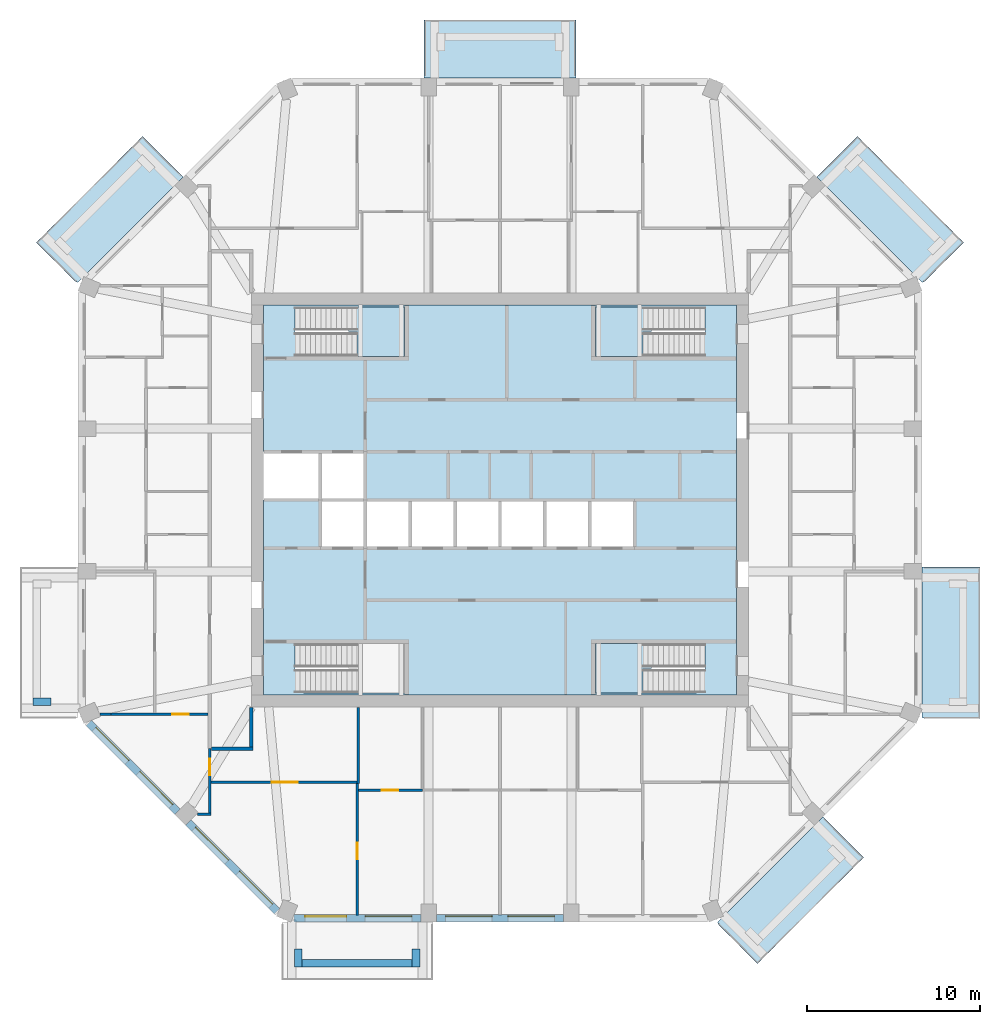
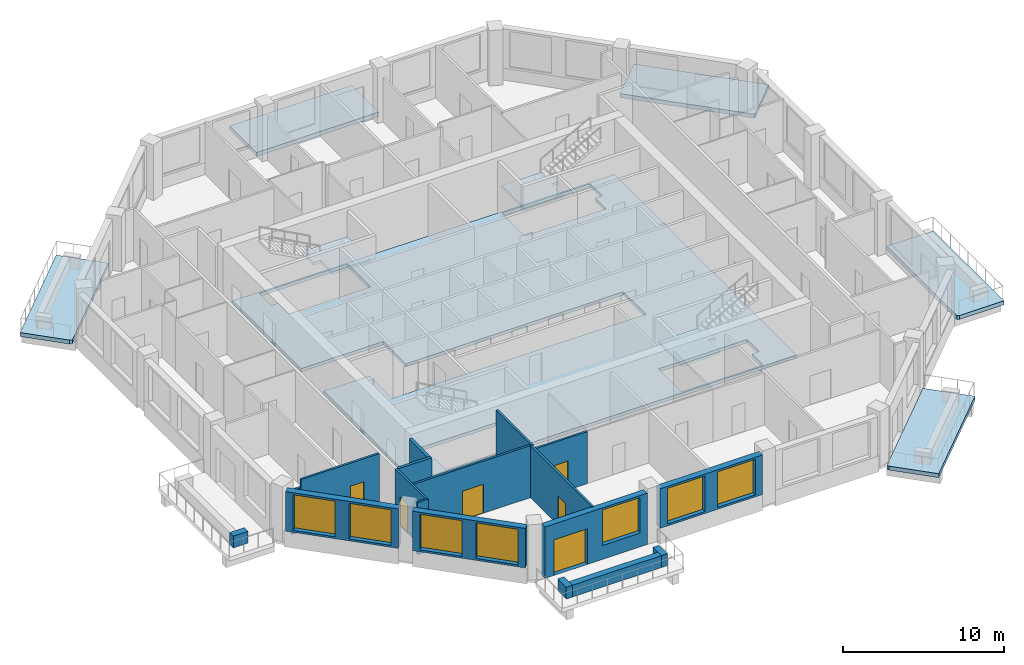
# One storey, part 2 of 10: 18 walls, 9 slabs, 7 windows, 6 doors, 13 openings, 3 elements without a shape of their own.
"""IFC4 building model written with IfcOpenShell, lengths in metres."""

from ifc_helpers import new_model, si_unit, direction, frame, frame_2d, origin, place, context, subcontext, project, spatial, polyline, rectangle, outline, extrude, material, layer, layer_set, type_object, element, fill, aggregate, save


model = new_model("IFC4")

# Units and contexts
model_context = context("Model", 3, precision=1e-05, world=origin(), true_north=direction((0.0, 1.0)))
body_context = subcontext(model_context, "Body", "Model", "MODEL_VIEW")
ifc_project = project(units=[si_unit("LENGTHUNIT", "METRE"), si_unit("AREAUNIT", "SQUARE_METRE"), si_unit("VOLUMEUNIT", "CUBIC_METRE"), si_unit("PLANEANGLEUNIT", "RADIAN"), si_unit("MASSUNIT", "GRAM", prefix="KILO")], contexts=[model_context])

# Site, building, storey
site_placement = place(None, origin())
site = spatial("IfcSite", under=ifc_project, at=site_placement, CompositionType="ELEMENT")
building_placement = place(site_placement, origin())
building = spatial("IfcBuilding", under=site, at=building_placement, Name="Msitu Wima Residences", CompositionType="ELEMENT")
storey_placement = place(building_placement, frame((0.0, 0.0, 191.699951171875)))
storey = spatial("IfcBuildingStorey", under=building, at=storey_placement, Name="L44", CompositionType="ELEMENT", Elevation=191.699951171875)

# Slabs
ifc_material_1 = material(Name="Concrete C40/50", Category="concrete")
ifc_layer_1 = layer(ifc_material_1, 0.300048828125)
ifc_layer_set_1 = layer_set([ifc_layer_1], Name="Concrete C40/50")
slab_type_1 = type_object("IfcSlabType", Name="Balcony slab BS300", PredefinedType="FLOOR", material=ifc_layer_set_1)
slab_1_placement = place(storey_placement, frame((0.0, 0.0, -0.300048828125)))
element("IfcSlab", 1, at=slab_1_placement, inside=storey, type_object=slab_type_1, Name="Balcony E0 L44", PredefinedType="FLOOR", context=body_context, shape_type="SweptSolid", body=[
    extrude(outline(polyline([(24.449951171875, -12.111083984375), (24.449951171875, -12.111083984375), (24.449951171875, -4.587158203125), (24.449951171875, -4.587158203125), (24.449951171875, -3.88720703125), (27.800048828125, -3.88720703125), (27.800048828125, -12.661865234375), (24.603515625, -12.661865234375), (24.449951171875, -12.59814453125), (24.449951171875, -12.111083984375), (24.449951171875, -12.111083984375)])), origin(), (0.0, 0.0, 1.0), 0.300048828125),
])
slab_2_placement = place(storey_placement, frame((0.0, 0.0, -0.300048828125)))
element("IfcSlab", 2, at=slab_2_placement, inside=storey, type_object=slab_type_1, Name="Balcony NE0 L44", PredefinedType="FLOOR", context=body_context, shape_type="SweptSolid", body=[
    extrude(outline(polyline([(24.10546875, 12.942626953125), (24.10546875, 12.942626953125), (18.347412109375, 18.700927734375), (20.716064453125, 21.069580078125), (26.86376953125, 14.922119140625), (24.603515625, 12.661865234375), (24.449951171875, 12.59814453125), (24.10546875, 12.942626953125), (24.10546875, 12.942626953125)])), origin(), (0.0, 0.0, 1.0), 0.300048828125),
])
slab_3_placement = place(storey_placement, frame((0.0, 0.0, -0.300048828125)))
element("IfcSlab", 3, at=slab_3_placement, inside=storey, type_object=slab_type_1, Name="Balcony N1 L44", PredefinedType="FLOOR", context=body_context, shape_type="SweptSolid", body=[
    extrude(outline(polyline([(3.687255859375, 24.449951171875), (-3.687255859375, 24.449951171875), (-4.38720703125, 24.449951171875), (-4.38720703125, 27.800048828125), (4.38720703125, 27.800048828125), (4.38720703125, 24.449951171875), (3.687255859375, 24.449951171875)])), origin(), (0.0, 0.0, 1.0), 0.300048828125),
])
slab_4_placement = place(storey_placement, frame((0.0, 0.0, -0.300048828125)))
element("IfcSlab", 4, at=slab_4_placement, inside=storey, type_object=slab_type_1, Name="Balcony NW1 L44", PredefinedType="FLOOR", context=body_context, shape_type="SweptSolid", body=[
    extrude(outline(polyline([(-24.10546875, 12.942626953125), (-24.10546875, 12.942626953125), (-24.449951171875, 12.59814453125), (-24.603515625, 12.661865234375), (-26.86376953125, 14.922119140625), (-20.716064453125, 21.069580078125), (-18.347412109375, 18.700927734375), (-24.10546875, 12.942626953125), (-24.10546875, 12.942626953125)])), origin(), (0.0, 0.0, 1.0), 0.300048828125),
])
slab_5_placement = place(storey_placement, frame((0.0, 0.0, -0.300048828125)))
element("IfcSlab", 5, at=slab_5_placement, inside=storey, type_object=slab_type_1, Name="Balcony SE0 L44", PredefinedType="FLOOR", context=body_context, shape_type="SweptSolid", body=[
    extrude(outline(polyline([(12.942626953125, -24.10546875), (12.942626953125, -24.10546875), (18.700927734375, -18.347412109375), (21.069580078125, -20.716064453125), (14.922119140625, -26.86376953125), (12.661865234375, -24.603515625), (12.59814453125, -24.449951171875), (12.942626953125, -24.10546875), (12.942626953125, -24.10546875)])), origin(), (0.0, 0.0, 1.0), 0.300048828125),
])
ifc_layer_2 = layer(ifc_material_1, 0.25)
ifc_layer_set_2 = layer_set([ifc_layer_2], Name="Concrete C40/50")
slab_type_2 = type_object("IfcSlabType", Name="Core floor CF250", PredefinedType="FLOOR", material=ifc_layer_set_2)
slab_6_placement = place(storey_placement, frame((0.0, 0.0, -0.25)))
element("IfcSlab", 6, at=slab_6_placement, inside=storey, type_object=slab_type_2, Name="Core floor", PredefinedType="FLOOR", context=body_context, shape_type="SweptSolid", body=[
    extrude(outline(polyline([(-13.699951171875, 11.300048828125), (-13.699951171875, 2.800048828125), (-10.39990234375, 2.800048828125), (-7.800048828125, 2.800048828125), (-7.800048828125, 0.0), (-5.199951171875, 0.0), (-2.60009765625, 0.0), (0.0, 0.0), (2.60009765625, 0.0), (5.199951171875, 0.0), (7.800048828125, 0.0), (7.800048828125, -2.800048828125), (5.199951171875, -2.800048828125), (2.60009765625, -2.800048828125), (0.0, -2.800048828125), (-2.60009765625, -2.800048828125), (-5.199951171875, -2.800048828125), (-7.800048828125, -2.800048828125), (-10.39990234375, -2.800048828125), (-10.39990234375, 0.0), (-13.699951171875, 0.0), (-13.699951171875, -11.300048828125), (13.699951171875, -11.300048828125), (13.699951171875, 11.300048828125), (-13.699951171875, 11.300048828125)]), holes=[polyline([(-11.375, -11.175048828125), (-11.375, -9.824951171875), (-11.87451171875, -9.824951171875), (-11.87451171875, -8.324951171875), (-5.52490234375, -8.324951171875), (-5.52490234375, -11.175048828125), (-11.375, -11.175048828125)]), polyline([(-11.375, 8.324951171875), (-11.375, 9.675048828125), (-11.87451171875, 9.675048828125), (-11.87451171875, 11.175048828125), (-5.52490234375, 11.175048828125), (-5.52490234375, 8.324951171875), (-11.375, 8.324951171875)]), polyline([(11.375, -9.824951171875), (11.375, -11.175048828125), (5.52490234375, -11.175048828125), (5.52490234375, -8.324951171875), (11.87451171875, -8.324951171875), (11.87451171875, -9.824951171875), (11.375, -9.824951171875)]), polyline([(11.375, 9.675048828125), (11.375, 8.324951171875), (5.52490234375, 8.324951171875), (5.52490234375, 11.175048828125), (11.87451171875, 11.175048828125), (11.87451171875, 9.675048828125), (11.375, 9.675048828125)])]), origin(), (0.0, 0.0, 1.0), 0.25),
])

# Stair, slab
stair_type = type_object("IfcStairType", Name="Exit stair ES1615-135", PredefinedType="HALF_TURN_STAIR", material=ifc_material_1)
stair_1_placement = place(storey_placement, origin())
stair_1 = element("IfcStair", 7, at=stair_1_placement, inside=storey, type_object=stair_type, Name="Exit stair 1", PredefinedType="HALF_TURN_STAIR")
ifc_layer_3 = layer(ifc_material_1, 0.199951171875)
ifc_layer_set_3 = layer_set([ifc_layer_3], Name="Concrete C40/50")
slab_type_3 = type_object("IfcSlabType", Name="Stair landing SL200", PredefinedType="LANDING", material=ifc_layer_set_3)
slab_7_placement = place(storey_placement, frame((0.0, 0.0, 1.900146484375)))
slab_7 = element("IfcSlab", 8, at=slab_7_placement, type_object=slab_type_3, Name="S1 landing 1", PredefinedType="LANDING", context=body_context, shape_type="SweptSolid", body=[
    extrude(outline(polyline([(-5.52490234375, 8.324951171875), (-8.275390625, 8.324951171875), (-8.275390625, 9.75), (-8.77490234375, 9.75), (-8.77490234375, 11.175048828125), (-5.52490234375, 11.175048828125), (-5.52490234375, 8.324951171875)])), origin(), (0.0, 0.0, 1.0), 0.199951171875),
])
aggregate(stair_1, [slab_7])

stair_2_placement = place(storey_placement, origin())
stair_2 = element("IfcStair", 9, at=stair_2_placement, inside=storey, type_object=stair_type, Name="Exit stair 3", PredefinedType="HALF_TURN_STAIR")
slab_8_placement = place(storey_placement, frame((0.0, 0.0, 1.900146484375)))
slab_8 = element("IfcSlab", 10, at=slab_8_placement, type_object=slab_type_3, Name="S3 landing 1", PredefinedType="LANDING", context=body_context, shape_type="SweptSolid", body=[
    extrude(outline(polyline([(5.52490234375, 8.324951171875), (8.275390625, 8.324951171875), (8.275390625, 9.75), (8.77490234375, 9.75), (8.77490234375, 11.175048828125), (5.52490234375, 11.175048828125), (5.52490234375, 8.324951171875)])), origin(), (0.0, 0.0, 1.0), 0.199951171875),
])
aggregate(stair_2, [slab_8])

stair_3_placement = place(storey_placement, origin())
stair_3 = element("IfcStair", 11, at=stair_3_placement, inside=storey, type_object=stair_type, Name="Exit stair 4", PredefinedType="HALF_TURN_STAIR")
slab_9_placement = place(storey_placement, frame((0.0, 0.0, 1.900146484375)))
slab_9 = element("IfcSlab", 12, at=slab_9_placement, type_object=slab_type_3, Name="S4 landing 1", PredefinedType="LANDING", context=body_context, shape_type="SweptSolid", body=[
    extrude(outline(polyline([(5.52490234375, -11.175048828125), (8.275390625, -11.175048828125), (8.275390625, -9.75), (8.77490234375, -9.75), (8.77490234375, -8.324951171875), (5.52490234375, -8.324951171875), (5.52490234375, -11.175048828125)])), origin(), (0.0, 0.0, 1.0), 0.199951171875),
])
aggregate(stair_3, [slab_9])

# Walls
ifc_material_2 = material(Name="Facing brick")
ifc_layer_4 = layer(ifc_material_2, 0.06494140625, Name="Facing brick")
ifc_layer_5 = layer(ifc_material_1, 0.156005859375, Name="Concrete C40/50")
ifc_material_3 = material(Name="Waterproofing membrane")
ifc_layer_6 = layer(ifc_material_3, 0.00390625, Name="Waterproofing membrane")
ifc_material_4 = material(Name="Planting soil and planting")
ifc_layer_7 = layer(ifc_material_4, 0.22509765625, Name="Planting soil and planting")
ifc_layer_set_4 = layer_set([ifc_layer_4, ifc_layer_5, ifc_layer_6, ifc_layer_7], Name="Concrete C40/50")
wall_type_1 = type_object("IfcWallType", Name="Balcony planter PLANTER PL450", PredefinedType="USERDEFINED", material=ifc_layer_set_4)
wall_1_placement = place(storey_placement, frame((-26.0, -11.686767578125, 0.0), z_axis=(0.0, 0.0, 1.0), x_axis=(-1.0, 0.0, 0.0)))
element("IfcWall", 13, at=wall_1_placement, inside=storey, type_object=wall_type_1, Name="Balcony planter W2 L44", ObjectType="PLANTER", PredefinedType="USERDEFINED", context=body_context, shape_type="SweptSolid", body=[
    extrude(rectangle(XDim=1.050048828125, YDim=0.449951171875, at=frame_2d((0.52490234375, 0.0))), origin(), (0.0, 0.0, 1.0), 0.900146484375),
])
wall_2_placement = place(storey_placement, frame((-11.461669921875, -26.824951171875, 0.0), z_axis=(0.0, 0.0, 1.0), x_axis=(1.0, 0.0, 0.0)))
element("IfcWall", 14, at=wall_2_placement, inside=storey, type_object=wall_type_1, Name="Balcony planter S0 L44", ObjectType="PLANTER", PredefinedType="USERDEFINED", context=body_context, shape_type="SweptSolid", body=[
    extrude(rectangle(XDim=6.37451171875, YDim=0.449951171875, at=frame_2d((3.187255859375, 0.0))), origin(), (0.0, 0.0, 1.0), 0.900146484375),
])
for number, where, z_axis, x_axis, name in (
    (15, (-11.686767578125, -26.0, 0.0), (0.0, 0.0, 1.0), (0.0, -1.0, 0.0), "Balcony planter S0 L44"),
    (16, (-4.8623046875, -26.0, 0.0), (0.0, 0.0, 1.0), (0.0, -1.0, 0.0), "Balcony planter S0 L44"),
):
    element("IfcWall", number, at=place(storey_placement, frame(where, z_axis=z_axis, x_axis=x_axis)), inside=storey, type_object=wall_type_1, Name=name, ObjectType="PLANTER", PredefinedType="USERDEFINED", context=body_context, shape_type="SweptSolid", body=[
        extrude(rectangle(XDim=1.050048828125, YDim=0.449951171875, at=frame_2d((0.52490234375, 0.0))), origin(), (0.0, 0.0, 1.0), 0.900146484375),
    ])

# Wall, openings, windows
ifc_material_5 = material(Name="Brick (red buff mix)", Category="masonry")
ifc_layer_8 = layer(ifc_material_5, 0.449951171875)
ifc_layer_set_5 = layer_set([ifc_layer_8], Name="Brick (red buff mix)")
wall_type_2 = type_object("IfcWallType", Name="Brick infill wall BW450", PredefinedType="SOLIDWALL", material=ifc_layer_set_5)
wall_3_placement = place(storey_placement, frame((-23.814697265625, -12.915283203125, 0.900146484375), z_axis=(0.0, 0.0, 1.0), x_axis=(0.707106781187, -0.707106781187, 0.0)))
wall_3 = element("IfcWall", 17, at=wall_3_placement, inside=storey, type_object=wall_type_2, Name="Brick infill wall L44 SW0", PredefinedType="SOLIDWALL", context=body_context, shape_type="SweptSolid", body=[
    extrude(rectangle(XDim=7.257080078125, YDim=0.449951171875, at=frame_2d((3.62841796875, 0.0))), origin(), (0.0, 0.0, 1.0), 3.0),
])
opening_1_placement = place(wall_3_placement, frame((0.478515625, 0.0, 0.14990234375)))
opening_1 = element("IfcOpeningElement", 18, at=opening_1_placement, cuts=wall_3, Name="Opening W43-45.025", PredefinedType="OPENING", context=body_context, shape_type="SweptSolid", body=[
    extrude(rectangle(XDim=2.699951171875, YDim=2.699951171875, at=frame_2d((1.35009765625, 1.35009765625))), frame((0.0, 0.23486328125, 0.0), z_axis=(0.0, -1.0, 0.0), x_axis=(1.0, 0.0, 0.0)), (0.0, 0.0, 1.0), 0.469970703125),
])
opening_2_placement = place(wall_3_placement, frame((4.07861328125, 0.0, 0.14990234375)))
opening_2 = element("IfcOpeningElement", 19, at=opening_2_placement, cuts=wall_3, Name="Opening W43-45.026", PredefinedType="OPENING", context=body_context, shape_type="SweptSolid", body=[
    extrude(rectangle(XDim=2.699951171875, YDim=2.699951171875, at=frame_2d((1.35009765625, 1.35009765625))), frame((0.0, 0.23486328125, 0.0), z_axis=(0.0, -1.0, 0.0), x_axis=(1.0, 0.0, 0.0)), (0.0, 0.0, 1.0), 0.469970703125),
])
ifc_material_6 = material(Name="Anodised aluminium, bronze finish, clear low-emissivity double glazing", Category="aluminium")
window_type = type_object("IfcWindowType", Name="Window W2700x2700", PartitioningType="DOUBLE_PANEL_VERTICAL", PredefinedType="WINDOW", material=ifc_material_6)
window_1_placement = place(opening_1_placement, origin())
window_1 = element("IfcWindow", 20, at=window_1_placement, inside=storey, type_object=window_type, Name="Window L44 SW0.1", OverallHeight=2.699951171875, OverallWidth=2.699951171875, PartitioningType="SINGLE_PANEL", PredefinedType="WINDOW", context=body_context, shape_type="SweptSolid", body=[
    extrude(rectangle(XDim=2.699951171875, YDim=2.699951171875, at=frame_2d((1.35009765625, 1.35009765625))), frame((0.0, 0.135009765625, 0.0), z_axis=(0.0, -1.0, 0.0), x_axis=(1.0, 0.0, 0.0)), (0.0, 0.0, 1.0), 0.06005859375),
])
fill(opening_1, window_1)
window_2_placement = place(opening_2_placement, origin())
window_2 = element("IfcWindow", 21, at=window_2_placement, inside=storey, type_object=window_type, Name="Window L44 SW0.2", OverallHeight=2.699951171875, OverallWidth=2.699951171875, PartitioningType="SINGLE_PANEL", PredefinedType="WINDOW", context=body_context, shape_type="SweptSolid", body=[
    extrude(rectangle(XDim=2.699951171875, YDim=2.699951171875, at=frame_2d((1.35009765625, 1.35009765625))), frame((0.0, 0.135009765625, 0.0), z_axis=(0.0, -1.0, 0.0), x_axis=(1.0, 0.0, 0.0)), (0.0, 0.0, 1.0), 0.06005859375),
])
fill(opening_2, window_2)

wall_4_placement = place(storey_placement, frame((-18.046875, -18.68310546875, 0.900146484375), z_axis=(0.0, 0.0, 1.0), x_axis=(0.707106781187, -0.707106781187, 0.0)))
wall_4 = element("IfcWall", 22, at=wall_4_placement, inside=storey, type_object=wall_type_2, Name="Brick infill wall L44 SW1", PredefinedType="SOLIDWALL", context=body_context, shape_type="SweptSolid", body=[
    extrude(rectangle(XDim=7.257080078125, YDim=0.449951171875, at=frame_2d((3.62841796875, 0.0))), origin(), (0.0, 0.0, 1.0), 3.0),
])
opening_3_placement = place(wall_4_placement, frame((0.478515625, 0.0, 0.14990234375)))
opening_3 = element("IfcOpeningElement", 23, at=opening_3_placement, cuts=wall_4, Name="Opening W43-45.027", PredefinedType="OPENING", context=body_context, shape_type="SweptSolid", body=[
    extrude(rectangle(XDim=2.699951171875, YDim=2.699951171875, at=frame_2d((1.35009765625, 1.35009765625))), frame((0.0, 0.23486328125, 0.0), z_axis=(0.0, -1.0, 0.0), x_axis=(1.0, 0.0, 0.0)), (0.0, 0.0, 1.0), 0.469970703125),
])
opening_4_placement = place(wall_4_placement, frame((4.07861328125, 0.0, 0.14990234375)))
opening_4 = element("IfcOpeningElement", 24, at=opening_4_placement, cuts=wall_4, Name="Opening W43-45.028", PredefinedType="OPENING", context=body_context, shape_type="SweptSolid", body=[
    extrude(rectangle(XDim=2.699951171875, YDim=2.699951171875, at=frame_2d((1.35009765625, 1.35009765625))), frame((0.0, 0.23486328125, 0.0), z_axis=(0.0, -1.0, 0.0), x_axis=(1.0, 0.0, 0.0)), (0.0, 0.0, 1.0), 0.469970703125),
])
window_3_placement = place(opening_3_placement, origin())
window_3 = element("IfcWindow", 25, at=window_3_placement, inside=storey, type_object=window_type, Name="Window L44 SW1.1", OverallHeight=2.699951171875, OverallWidth=2.699951171875, PartitioningType="SINGLE_PANEL", PredefinedType="WINDOW", context=body_context, shape_type="SweptSolid", body=[
    extrude(rectangle(XDim=2.699951171875, YDim=2.699951171875, at=frame_2d((1.35009765625, 1.35009765625))), frame((0.0, 0.135009765625, 0.0), z_axis=(0.0, -1.0, 0.0), x_axis=(1.0, 0.0, 0.0)), (0.0, 0.0, 1.0), 0.06005859375),
])
fill(opening_3, window_3)
window_4_placement = place(opening_4_placement, origin())
window_4 = element("IfcWindow", 26, at=window_4_placement, inside=storey, type_object=window_type, Name="Window L44 SW1.2", OverallHeight=2.699951171875, OverallWidth=2.699951171875, PartitioningType="SINGLE_PANEL", PredefinedType="WINDOW", context=body_context, shape_type="SweptSolid", body=[
    extrude(rectangle(XDim=2.699951171875, YDim=2.699951171875, at=frame_2d((1.35009765625, 1.35009765625))), frame((0.0, 0.135009765625, 0.0), z_axis=(0.0, -1.0, 0.0), x_axis=(1.0, 0.0, 0.0)), (0.0, 0.0, 1.0), 0.06005859375),
])
fill(opening_4, window_4)

# Wall, openings, door, window
wall_5_placement = place(storey_placement, frame((-11.9248046875, -24.22509765625, 0.0), z_axis=(0.0, 0.0, 1.0), x_axis=(1.0, 0.0, 0.0)))
wall_5 = element("IfcWall", 27, at=wall_5_placement, inside=storey, type_object=wall_type_2, Name="Brick infill wall L44 S0", PredefinedType="SOLIDWALL", context=body_context, shape_type="SweptSolid", body=[
    extrude(rectangle(XDim=7.337646484375, YDim=0.449951171875, at=frame_2d((3.6689453125, 0.0))), origin(), (0.0, 0.0, 1.0), 3.900146484375),
])
opening_5_placement = place(wall_5_placement, frame((0.63427734375, 0.0, 0.0)))
opening_5 = element("IfcOpeningElement", 28, at=opening_5_placement, cuts=wall_5, Name="Opening D43-45.005", PredefinedType="OPENING", context=body_context, shape_type="SweptSolid", body=[
    extrude(rectangle(XDim=2.39990234375, YDim=2.699951171875, at=frame_2d((1.199951171875, 1.35009765625))), frame((0.0, 0.23486328125, 0.0), z_axis=(0.0, -1.0, 0.0), x_axis=(1.0, 0.0, 0.0)), (0.0, 0.0, 1.0), 0.469970703125),
])
opening_6_placement = place(wall_5_placement, frame((4.11865234375, 0.0, 1.050048828125)))
opening_6 = element("IfcOpeningElement", 29, at=opening_6_placement, cuts=wall_5, Name="Opening W43-45.017", PredefinedType="OPENING", context=body_context, shape_type="SweptSolid", body=[
    extrude(rectangle(XDim=2.699951171875, YDim=2.699951171875, at=frame_2d((1.35009765625, 1.35009765625))), frame((0.0, 0.23486328125, 0.0), z_axis=(0.0, -1.0, 0.0), x_axis=(1.0, 0.0, 0.0)), (0.0, 0.0, 1.0), 0.469970703125),
])
door_type_1 = type_object("IfcDoorType", Name="Balcony door D2400x2700", OperationType="SLIDING_TO_LEFT", PredefinedType="DOOR", material=ifc_material_6)
door_1_placement = place(opening_5_placement, origin())
door_1 = element("IfcDoor", 30, at=door_1_placement, inside=storey, type_object=door_type_1, Name="Balcony door L44 S0", OperationType="SINGLE_SWING_LEFT", OverallHeight=2.699951171875, OverallWidth=2.39990234375, PredefinedType="DOOR", context=body_context, shape_type="SweptSolid", body=[
    extrude(rectangle(XDim=2.39990234375, YDim=2.699951171875, at=frame_2d((1.199951171875, 1.35009765625))), frame((0.0, 0.1298828125, 0.0), z_axis=(0.0, -1.0, 0.0), x_axis=(1.0, 0.0, 0.0)), (0.0, 0.0, 1.0), 0.050048828125),
])
fill(opening_5, door_1)
window_5_placement = place(opening_6_placement, origin())
window_5 = element("IfcWindow", 31, at=window_5_placement, inside=storey, type_object=window_type, Name="Window L44 S0.2", OverallHeight=2.699951171875, OverallWidth=2.699951171875, PartitioningType="SINGLE_PANEL", PredefinedType="WINDOW", context=body_context, shape_type="SweptSolid", body=[
    extrude(rectangle(XDim=2.699951171875, YDim=2.699951171875, at=frame_2d((1.35009765625, 1.35009765625))), frame((0.0, 0.135009765625, 0.0), z_axis=(0.0, -1.0, 0.0), x_axis=(1.0, 0.0, 0.0)), (0.0, 0.0, 1.0), 0.06005859375),
])
fill(opening_6, window_5)

# Wall, openings, windows
wall_6_placement = place(storey_placement, frame((-3.687255859375, -24.22509765625, 0.900146484375), z_axis=(0.0, 0.0, 1.0), x_axis=(1.0, 0.0, 0.0)))
wall_6 = element("IfcWall", 32, at=wall_6_placement, inside=storey, type_object=wall_type_2, Name="Brick infill wall L44 S1", PredefinedType="SOLIDWALL", context=body_context, shape_type="SweptSolid", body=[
    extrude(rectangle(XDim=7.37451171875, YDim=0.449951171875, at=frame_2d((3.687255859375, 0.0))), origin(), (0.0, 0.0, 1.0), 3.0),
])
opening_7_placement = place(wall_6_placement, frame((0.537353515625, 0.0, 0.14990234375)))
opening_7 = element("IfcOpeningElement", 33, at=opening_7_placement, cuts=wall_6, Name="Opening W43-45.018", PredefinedType="OPENING", context=body_context, shape_type="SweptSolid", body=[
    extrude(rectangle(XDim=2.699951171875, YDim=2.699951171875, at=frame_2d((1.35009765625, 1.35009765625))), frame((0.0, 0.23486328125, 0.0), z_axis=(0.0, -1.0, 0.0), x_axis=(1.0, 0.0, 0.0)), (0.0, 0.0, 1.0), 0.469970703125),
])
opening_8_placement = place(wall_6_placement, frame((4.13720703125, 0.0, 0.14990234375)))
opening_8 = element("IfcOpeningElement", 34, at=opening_8_placement, cuts=wall_6, Name="Opening W43-45.019", PredefinedType="OPENING", context=body_context, shape_type="SweptSolid", body=[
    extrude(rectangle(XDim=2.699951171875, YDim=2.699951171875, at=frame_2d((1.35009765625, 1.35009765625))), frame((0.0, 0.23486328125, 0.0), z_axis=(0.0, -1.0, 0.0), x_axis=(1.0, 0.0, 0.0)), (0.0, 0.0, 1.0), 0.469970703125),
])
window_6_placement = place(opening_7_placement, origin())
window_6 = element("IfcWindow", 35, at=window_6_placement, inside=storey, type_object=window_type, Name="Window L44 S1.1", OverallHeight=2.699951171875, OverallWidth=2.699951171875, PartitioningType="SINGLE_PANEL", PredefinedType="WINDOW", context=body_context, shape_type="SweptSolid", body=[
    extrude(rectangle(XDim=2.699951171875, YDim=2.699951171875, at=frame_2d((1.35009765625, 1.35009765625))), frame((0.0, 0.135009765625, 0.0), z_axis=(0.0, -1.0, 0.0), x_axis=(1.0, 0.0, 0.0)), (0.0, 0.0, 1.0), 0.06005859375),
])
fill(opening_7, window_6)
window_7_placement = place(opening_8_placement, origin())
window_7 = element("IfcWindow", 36, at=window_7_placement, inside=storey, type_object=window_type, Name="Window L44 S1.2", OverallHeight=2.699951171875, OverallWidth=2.699951171875, PartitioningType="SINGLE_PANEL", PredefinedType="WINDOW", context=body_context, shape_type="SweptSolid", body=[
    extrude(rectangle(XDim=2.699951171875, YDim=2.699951171875, at=frame_2d((1.35009765625, 1.35009765625))), frame((0.0, 0.135009765625, 0.0), z_axis=(0.0, -1.0, 0.0), x_axis=(1.0, 0.0, 0.0)), (0.0, 0.0, 1.0), 0.06005859375),
])
fill(opening_8, window_7)

# Walls
ifc_material_7 = material(Name="Plaster")
ifc_layer_9 = layer(ifc_material_7, 0.011962890625, Name="Plaster")
ifc_material_8 = material(Name="Concrete blockwork", Category="masonry")
ifc_layer_10 = layer(ifc_material_8, 0.176025390625, Name="Concrete blockwork")
ifc_layer_11 = layer(ifc_material_7, 0.011962890625, Name="Plaster")
ifc_layer_set_6 = layer_set([ifc_layer_9, ifc_layer_10, ifc_layer_11], Name="Concrete blockwork")
wall_type_3 = type_object("IfcWallType", Name="Corridor wall FW200", PredefinedType="PARTITIONING", material=ifc_layer_set_6)
wall_7_placement = place(storey_placement, frame((-16.699951171875, -14.39990234375, 0.0), z_axis=(0.0, 0.0, 1.0), x_axis=(1.0, 0.0, 0.0)))
element("IfcWall", 37, at=wall_7_placement, inside=storey, type_object=wall_type_3, Name="Corridor wall", PredefinedType="PARTITIONING", context=body_context, shape_type="SweptSolid", body=[
    extrude(rectangle(XDim=2.39990234375, YDim=0.199951171875, at=frame_2d((1.199951171875, 0.0))), origin(), (0.0, 0.0, 1.0), 3.949951171875),
])
wall_8_placement = place(storey_placement, frame((-14.39990234375, -14.300048828125, 0.0), z_axis=(0.0, 0.0, 1.0), x_axis=(0.0, 1.0, 0.0)))
element("IfcWall", 38, at=wall_8_placement, inside=storey, type_object=wall_type_3, Name="Corridor wall", PredefinedType="PARTITIONING", context=body_context, shape_type="SweptSolid", body=[
    extrude(rectangle(XDim=2.27001953125, YDim=0.199951171875, at=frame_2d((1.135009765625, 0.0))), origin(), (0.0, 0.0, 1.0), 3.949951171875),
])
ifc_layer_12 = layer(ifc_material_7, 0.011962890625, Name="Plaster")
ifc_layer_13 = layer(ifc_material_8, 0.1259765625, Name="Concrete blockwork")
ifc_layer_14 = layer(ifc_material_7, 0.011962890625, Name="Plaster")
ifc_layer_set_7 = layer_set([ifc_layer_12, ifc_layer_13, ifc_layer_14], Name="Concrete blockwork")
wall_type_4 = type_object("IfcWallType", Name="Partition PW150", PredefinedType="PARTITIONING", material=ifc_layer_set_7)
wall_9_placement = place(storey_placement, frame((-23.169677734375, -12.409912109375, 0.0), z_axis=(0.0, 0.0, 1.0), x_axis=(1.0, 0.0, 0.0)))
element("IfcWall", 39, at=wall_9_placement, inside=storey, type_object=wall_type_4, Name="Partition", PredefinedType="PARTITIONING", context=body_context, shape_type="SweptSolid", body=[
    extrude(rectangle(XDim=0.640380859375, YDim=0.14990234375, at=frame_2d((0.3203125, 0.0))), origin(), (0.0, 0.0, 1.0), 3.35009765625),
])

# Wall, opening, door
wall_10_placement = place(storey_placement, frame((-22.529296875, -12.409912109375, 0.0), z_axis=(0.0, 0.0, 1.0), x_axis=(1.0, 0.0, 0.0)))
wall_10 = element("IfcWall", 40, at=wall_10_placement, inside=storey, type_object=wall_type_4, Name="Partition", PredefinedType="PARTITIONING", context=body_context, shape_type="SweptSolid", body=[
    extrude(rectangle(XDim=5.62939453125, YDim=0.14990234375, at=frame_2d((2.814697265625, 0.0))), origin(), (0.0, 0.0, 1.0), 3.949951171875),
])
opening_9_placement = place(wall_10_placement, frame((3.5595703125, 0.0, 0.0)))
opening_9 = element("IfcOpeningElement", 41, at=opening_9_placement, cuts=wall_10, Name="Opening D43-45.030", PredefinedType="OPENING", context=body_context, shape_type="SweptSolid", body=[
    extrude(rectangle(XDim=0.949951171875, YDim=2.199951171875, at=frame_2d((0.47509765625, 1.10009765625))), frame((0.0, 0.0849609375, 0.0), z_axis=(0.0, -1.0, 0.0), x_axis=(1.0, 0.0, 0.0)), (0.0, 0.0, 1.0), 0.169921875),
])
ifc_material_9 = material(Name="Timber flush door", Category="wood")
door_type_2 = type_object("IfcDoorType", Name="Room door D12 950x2200", OperationType="SINGLE_SWING_LEFT", PredefinedType="DOOR", material=ifc_material_9)
door_2_placement = place(opening_9_placement, origin())
door_2 = element("IfcDoor", 42, at=door_2_placement, inside=storey, type_object=door_type_2, Name="Room door", OperationType="SINGLE_SWING_LEFT", OverallHeight=2.199951171875, OverallWidth=0.949951171875, PredefinedType="DOOR", context=body_context, shape_type="SweptSolid", body=[
    extrude(rectangle(XDim=0.949951171875, YDim=2.199951171875, at=frame_2d((0.47509765625, 1.10009765625))), frame((0.0, 0.02490234375, 0.0), z_axis=(0.0, -1.0, 0.0), x_axis=(1.0, 0.0, 0.0)), (0.0, 0.0, 1.0), 0.050048828125),
])
fill(opening_9, door_2)

# Wall
wall_11_placement = place(storey_placement, frame((-17.509521484375, -18.205810546875, 0.0), z_axis=(0.0, 0.0, 1.0), x_axis=(1.0, 0.0, 0.0)))
element("IfcWall", 43, at=wall_11_placement, inside=storey, type_object=wall_type_4, Name="Partition", PredefinedType="PARTITIONING", context=body_context, shape_type="SweptSolid", body=[
    extrude(rectangle(XDim=0.784423828125, YDim=0.14990234375, at=frame_2d((0.39208984375, 0.0))), origin(), (0.0, 0.0, 1.0), 3.949951171875),
])

# Wall, opening, door
wall_12_placement = place(storey_placement, frame((-16.800048828125, -18.130859375, 0.0), z_axis=(0.0, 0.0, 1.0), x_axis=(0.0, 1.0, 0.0)))
wall_12 = element("IfcWall", 44, at=wall_12_placement, inside=storey, type_object=wall_type_4, Name="Partition", PredefinedType="PARTITIONING", context=body_context, shape_type="SweptSolid", body=[
    extrude(rectangle(XDim=3.73095703125, YDim=0.14990234375, at=frame_2d((1.865478515625, 0.0))), origin(), (0.0, 0.0, 1.0), 3.949951171875),
])
opening_10_placement = place(wall_12_placement, frame((2.199951171875, 0.0, 0.0)))
opening_10 = element("IfcOpeningElement", 45, at=opening_10_placement, cuts=wall_12, Name="Opening D43-45.047", PredefinedType="OPENING", context=body_context, shape_type="SweptSolid", body=[
    extrude(rectangle(XDim=0.949951171875, YDim=2.199951171875, at=frame_2d((0.47509765625, 1.10009765625))), frame((0.0, 0.0849609375, 0.0), z_axis=(0.0, -1.0, 0.0), x_axis=(1.0, 0.0, 0.0)), (0.0, 0.0, 1.0), 0.169921875),
])
door_3_placement = place(opening_10_placement, origin())
door_3 = element("IfcDoor", 46, at=door_3_placement, inside=storey, type_object=door_type_2, Name="Room door", OperationType="SINGLE_SWING_RIGHT", OverallHeight=2.199951171875, OverallWidth=0.949951171875, PredefinedType="DOOR", context=body_context, shape_type="SweptSolid", body=[
    extrude(rectangle(XDim=0.949951171875, YDim=2.199951171875, at=frame_2d((0.47509765625, 1.10009765625))), frame((0.0, 0.02490234375, 0.0), z_axis=(0.0, -1.0, 0.0), x_axis=(1.0, 0.0, 0.0)), (0.0, 0.0, 1.0), 0.050048828125),
])
fill(opening_10, door_3)

wall_13_placement = place(storey_placement, frame((-16.72509765625, -16.35009765625, 0.0), z_axis=(0.0, 0.0, 1.0), x_axis=(1.0, 0.0, 0.0)))
wall_13 = element("IfcWall", 47, at=wall_13_placement, inside=storey, type_object=wall_type_4, Name="Partition", PredefinedType="PARTITIONING", context=body_context, shape_type="SweptSolid", body=[
    extrude(rectangle(XDim=8.525634765625, YDim=0.14990234375, at=frame_2d((4.2626953125, 0.0))), origin(), (0.0, 0.0, 1.0), 3.949951171875),
])
opening_11_placement = place(wall_13_placement, frame((3.5, 0.0, 0.0)))
opening_11 = element("IfcOpeningElement", 48, at=opening_11_placement, cuts=wall_13, Name="Opening D43-45.048", PredefinedType="OPENING", context=body_context, shape_type="SweptSolid", body=[
    extrude(rectangle(XDim=1.5, YDim=2.199951171875, at=frame_2d((0.75, 1.10009765625))), frame((0.0, 0.0849609375, 0.0), z_axis=(0.0, -1.0, 0.0), x_axis=(1.0, 0.0, 0.0)), (0.0, 0.0, 1.0), 0.169921875),
])
ifc_material_10 = material(Name="Timber double door", Category="wood")
door_type_3 = type_object("IfcDoorType", Name="Double door D04 1500x2200", OperationType="DOUBLE_DOOR_SINGLE_SWING", PredefinedType="DOOR", material=ifc_material_10)
door_4_placement = place(opening_11_placement, origin())
door_4 = element("IfcDoor", 49, at=door_4_placement, inside=storey, type_object=door_type_3, Name="Double door", OperationType="DOUBLE_DOOR_SINGLE_SWING", OverallHeight=2.199951171875, OverallWidth=1.5, PredefinedType="DOOR", context=body_context, shape_type="SweptSolid", body=[
    extrude(rectangle(XDim=1.5, YDim=2.199951171875, at=frame_2d((0.75, 1.10009765625))), frame((0.0, 0.02490234375, 0.0), z_axis=(0.0, -1.0, 0.0), x_axis=(1.0, 0.0, 0.0)), (0.0, 0.0, 1.0), 0.050048828125),
])
fill(opening_11, door_4)

wall_14_placement = place(storey_placement, frame((-8.2744140625, -24.054931640625, 0.0), z_axis=(0.0, 0.0, 1.0), x_axis=(0.0, 1.0, 0.0)))
wall_14 = element("IfcWall", 50, at=wall_14_placement, inside=storey, type_object=wall_type_4, Name="Partition", PredefinedType="PARTITIONING", context=body_context, shape_type="SweptSolid", body=[
    extrude(rectangle(XDim=7.6298828125, YDim=0.14990234375, at=frame_2d((3.81494140625, 0.0))), origin(), (0.0, 0.0, 1.0), 3.949951171875),
])
opening_12_placement = place(wall_14_placement, frame((3.25, 0.0, 0.0)))
opening_12 = element("IfcOpeningElement", 51, at=opening_12_placement, cuts=wall_14, Name="Opening D43-45.034", PredefinedType="OPENING", context=body_context, shape_type="SweptSolid", body=[
    extrude(rectangle(XDim=0.949951171875, YDim=2.199951171875, at=frame_2d((0.47509765625, 1.10009765625))), frame((0.0, 0.0849609375, 0.0), z_axis=(0.0, -1.0, 0.0), x_axis=(1.0, 0.0, 0.0)), (0.0, 0.0, 1.0), 0.169921875),
])
door_5_placement = place(opening_12_placement, origin())
door_5 = element("IfcDoor", 52, at=door_5_placement, inside=storey, type_object=door_type_2, Name="Room door", OperationType="SINGLE_SWING_LEFT", OverallHeight=2.199951171875, OverallWidth=0.949951171875, PredefinedType="DOOR", context=body_context, shape_type="SweptSolid", body=[
    extrude(rectangle(XDim=0.949951171875, YDim=2.199951171875, at=frame_2d((0.47509765625, 1.10009765625))), frame((0.0, 0.02490234375, 0.0), z_axis=(0.0, -1.0, 0.0), x_axis=(1.0, 0.0, 0.0)), (0.0, 0.0, 1.0), 0.050048828125),
])
fill(opening_12, door_5)

wall_15_placement = place(storey_placement, frame((-8.199462890625, -16.800048828125, 0.0), z_axis=(0.0, 0.0, 1.0), x_axis=(1.0, 0.0, 0.0)))
wall_15 = element("IfcWall", 53, at=wall_15_placement, inside=storey, type_object=wall_type_4, Name="Partition", PredefinedType="PARTITIONING", context=body_context, shape_type="SweptSolid", body=[
    extrude(rectangle(XDim=3.699462890625, YDim=0.14990234375, at=frame_2d((1.849609375, 0.0))), origin(), (0.0, 0.0, 1.0), 3.949951171875),
])
opening_13_placement = place(wall_15_placement, frame((1.35009765625, 0.0, 0.0)))
opening_13 = element("IfcOpeningElement", 54, at=opening_13_placement, cuts=wall_15, Name="Opening D43-45.038", PredefinedType="OPENING", context=body_context, shape_type="SweptSolid", body=[
    extrude(rectangle(XDim=0.949951171875, YDim=2.199951171875, at=frame_2d((0.47509765625, 1.10009765625))), frame((0.0, 0.0849609375, 0.0), z_axis=(0.0, -1.0, 0.0), x_axis=(1.0, 0.0, 0.0)), (0.0, 0.0, 1.0), 0.169921875),
])
door_6_placement = place(opening_13_placement, origin())
door_6 = element("IfcDoor", 55, at=door_6_placement, inside=storey, type_object=door_type_2, Name="Room door", OperationType="SINGLE_SWING_RIGHT", OverallHeight=2.199951171875, OverallWidth=0.949951171875, PredefinedType="DOOR", context=body_context, shape_type="SweptSolid", body=[
    extrude(rectangle(XDim=0.949951171875, YDim=2.199951171875, at=frame_2d((0.47509765625, 1.10009765625))), frame((0.0, 0.02490234375, 0.0), z_axis=(0.0, -1.0, 0.0), x_axis=(1.0, 0.0, 0.0)), (0.0, 0.0, 1.0), 0.050048828125),
])
fill(opening_13, door_6)

# Wall
wall_16_placement = place(storey_placement, frame((-8.199951171875, -16.425048828125, 0.0), z_axis=(0.0, 0.0, 1.0), x_axis=(0.0, 1.0, 0.0)))
element("IfcWall", 56, at=wall_16_placement, inside=storey, type_object=wall_type_4, Name="Partition", PredefinedType="PARTITIONING", context=body_context, shape_type="SweptSolid", body=[
    extrude(rectangle(XDim=4.39501953125, YDim=0.14990234375, at=frame_2d((2.197509765625, 0.0))), origin(), (0.0, 0.0, 1.0), 3.949951171875),
])

save(model, "model.ifc")
